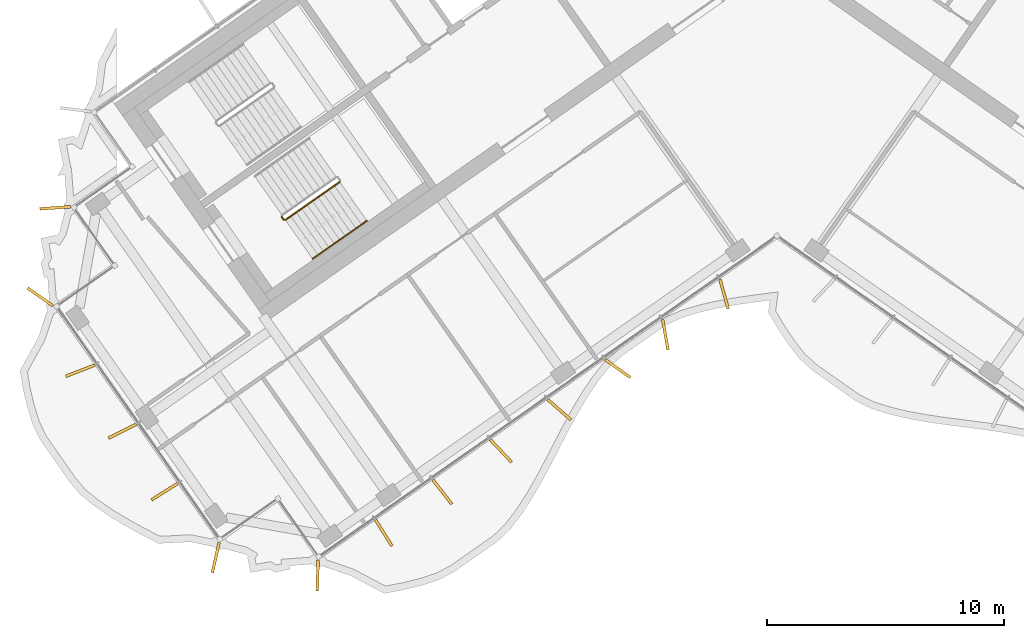
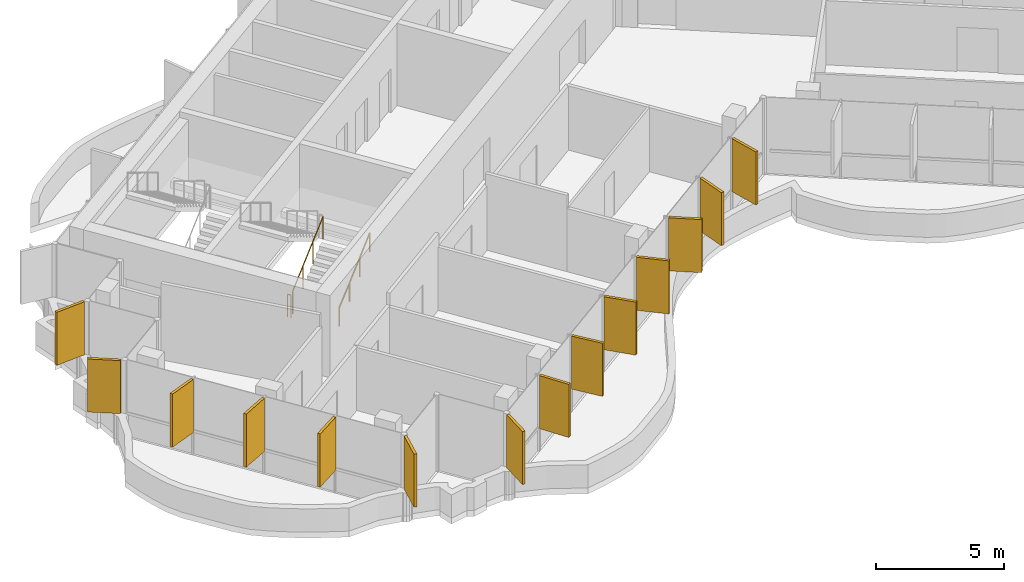
# One storey, part 13 of 18: 14 shading devices, 3 railings.
"""IFC4 building model written with IfcOpenShell, lengths in metres."""

from ifc_helpers import new_model, si_unit, direction, frame, origin, origin_2d, place, context, subcontext, project, spatial, rectangle, circle, extrude, material, layer, layer_set, type_object, element, save


model = new_model("IFC4")

# Units and contexts
model_context = context("Model", 3, precision=1e-05, world=origin(), true_north=direction((0.0, 1.0)))
body_context = subcontext(model_context, "Body", "Model", "MODEL_VIEW")
ifc_project = project(units=[si_unit("LENGTHUNIT", "METRE"), si_unit("AREAUNIT", "SQUARE_METRE"), si_unit("VOLUMEUNIT", "CUBIC_METRE"), si_unit("PLANEANGLEUNIT", "RADIAN"), si_unit("MASSUNIT", "GRAM", prefix="KILO")], contexts=[model_context])

# Site, building, storey
site_placement = place(None, origin())
site = spatial("IfcSite", under=ifc_project, at=site_placement, CompositionType="ELEMENT")
building_placement = place(site_placement, origin())
building = spatial("IfcBuilding", under=site, at=building_placement, Name="Tel Ilan Convention Tower", CompositionType="ELEMENT")
storey_placement = place(building_placement, frame((0.0, 0.0, 303.39990234375)))
storey = spatial("IfcBuildingStorey", under=building, at=storey_placement, Name="L72", CompositionType="ELEMENT", Elevation=303.39990234375)

# Shading devices
ifc_material_1 = material(Name="Aluminium, bronze anodised", Category="aluminium")
ifc_layer = layer(ifc_material_1, 0.1201171875)
ifc_layer_set = layer_set([ifc_layer], Name="FIN BRONZE 1300x120")
shading_device_type = type_object("IfcShadingDeviceType", Name="FIN BRONZE 1300x120", PredefinedType="USERDEFINED", material=ifc_layer_set)
for number, where, z_axis, x_axis, name in (
    (1, (-30.472412109375, -11.51513671875, 1.10009765625), (0.0, 0.0, 1.0), (-0.997697449973, -0.067821812994, 0.0), "FIN"),
    (2, (-31.10400390625, -15.2744140625, 1.10009765625), (0.0, 0.0, 1.0), (-0.819152044289, 0.573576436351, 0.0), "FIN"),
    (3, (-29.415283203125, -18.39208984375, 1.10009765625), (0.0, 0.0, 1.0), (-0.932883704733, -0.360177724803, 0.0), "FIN"),
    (4, (-27.6357421875, -20.94482421875, 1.10009765625), (0.0, 0.0, 1.0), (-0.893632640321, -0.448799180206, 0.0), "FIN"),
    (5, (-25.8505859375, -23.494873046875, 1.10009765625), (0.0, 0.0, 1.0), (-0.845986425922, -0.533204432798, 0.0), "FIN"),
    (6, (-23.693603515625, -26.281494140625, 1.10009765625), (0.0, 0.0, 1.0), (-0.221170268371, -0.975235208752, 0.0), "FIN"),
    (7, (-19.3916015625, -27.039794921875, 1.10009765625), (0.0, 0.0, 1.0), (-0.029084718749, -0.999576950082, 0.0), "FIN"),
    (8, (-16.601806640625, -25.23828125, 1.10009765625), (0.0, 0.0, 1.0), (0.533204432798, -0.845986425922, 0.0), "FIN"),
    (9, (-14.12890625, -23.5068359375, 1.10009765625), (0.0, 0.0, 1.0), (0.612600545196, -0.790392669516, 0.0), "FIN"),
    (10, (-11.65625, -21.775146484375, 1.10009765625), (0.0, 0.0, 1.0), (0.686241637865, -0.727373641577, 0.0), "FIN"),
    (11, (-9.18798828125, -20.038818359375, 1.10009765625), (0.0, 0.0, 1.0), (0.753435896329, -0.657521368568, 0.0), "FIN"),
    (12, (-6.72412109375, -18.298583984375, 1.10009765625), (0.0, 0.0, 1.0), (0.813552070258, -0.581492071294, 0.0), "FIN"),
    (13, (-4.715576171875, -16.86962890625, 1.10009765625), (0.0, 0.0, 1.0), (0.173648177667, -0.984807753012, 0.0), "FIN"),
    (14, (-2.23583984375, -15.15576171875, 1.10009765625), (0.0, 0.0, 1.0), (0.268172612768, -0.963370878614, 0.0), "FIN"),
):
    element("IfcShadingDevice", number, at=place(storey_placement, frame(where, z_axis=z_axis, x_axis=x_axis)), inside=storey, type_object=shading_device_type, Name=name, ObjectType="FIN", PredefinedType="USERDEFINED", context=body_context, shape_type="SweptSolid", body=[
        extrude(rectangle(XDim=1.300048828125, YDim=0.1201171875, at=origin_2d()), origin(), (0.0, 0.0, 1.0), 2.52001953125),
    ])

# Railings
ifc_material_2 = material(Name="Stainless Steel Grade 316", Category="steel")
railing_type_1 = type_object("IfcRailingType", Name="Stainless Steel Stair Guard 1100 mm", PredefinedType="GUARDRAIL", material=ifc_material_2)
railing_1_placement = place(storey_placement, frame((-20.753662109375, -12.029296875, 0.177490234375)))
element("IfcRailing", 15, at=railing_1_placement, inside=storey, type_object=railing_type_1, Name="L72 S2 stair guard 1", PredefinedType="GUARDRAIL", context=body_context, shape_type="SweptSolid", body=[
    extrude(circle(Radius=0.02392578125, at=origin_2d()), frame((0.0, 0.0, 1.076171875), z_axis=(0.692098378994, 0.484653031975, 0.534893701956), x_axis=(-0.573608623498, 0.819129505664, 0.0)), (0.0, 0.0, 1.0), 3.314208984375),
    extrude(circle(Radius=0.02099609375, at=origin_2d()), origin(), (0.0, 0.0, 1.0), 1.052001953125),
    extrude(circle(Radius=0.02099609375, at=origin_2d()), frame((0.7646484375, 0.535400390625, 0.5908203125)), (0.0, 0.0, 1.0), 1.052001953125),
    extrude(circle(Radius=0.02099609375, at=origin_2d()), frame((1.529052734375, 1.07080078125, 1.181884765625)), (0.0, 0.0, 1.0), 1.052001953125),
    extrude(circle(Radius=0.02099609375, at=origin_2d()), frame((2.293701171875, 1.606201171875, 1.772705078125)), (0.0, 0.0, 1.0), 1.052001953125),
])
railing_2_placement = place(storey_placement, frame((-20.8232421875, -12.016845703125, 0.0)))
element("IfcRailing", 16, at=railing_2_placement, inside=storey, type_object=railing_type_1, Name="L72 S2 stair guard 4", PredefinedType="GUARDRAIL", context=body_context, shape_type="SweptSolid", body=[
    extrude(circle(Radius=0.02392578125, at=origin_2d()), frame((0.0, 0.0, 1.076171875), z_axis=(-0.573353020881, 0.819308436089, 0.0), x_axis=(-0.819308436089, -0.573353020881, 0.0)), (0.0, 0.0, 1.0), 0.14990234375),
    extrude(circle(Radius=0.02099609375, at=origin_2d()), origin(), (0.0, 0.0, 1.0), 1.052001953125),
    extrude(circle(Radius=0.02099609375, at=origin_2d()), frame((-0.0859375, 0.122802734375, 0.0)), (0.0, 0.0, 1.0), 1.052001953125),
])
ifc_material_3 = material(Name="Stainless Steel Grade 316", Category="steel")
railing_type_2 = type_object("IfcRailingType", Name="Stainless Steel Stair Handrail 900 mm", PredefinedType="HANDRAIL", material=ifc_material_3)
railing_3_placement = place(storey_placement, frame((-19.6064453125, -13.66748046875, 0.177490234375)))
element("IfcRailing", 17, at=railing_3_placement, inside=storey, type_object=railing_type_2, Name="L72 S2 stair handrail 1", PredefinedType="HANDRAIL", context=body_context, shape_type="SweptSolid", body=[
    extrude(circle(Radius=0.02392578125, at=origin_2d()), frame((0.0, 0.0, 0.8759765625), z_axis=(0.692123088272, 0.484596665743, 0.534912798717), x_axis=(-0.573550118428, 0.819170471667, 0.0)), (0.0, 0.0, 1.0), 3.31396484375),
    extrude(circle(Radius=0.02099609375, at=origin_2d()), origin(), (0.0, 0.0, 1.0), 0.851806640625),
    extrude(circle(Radius=0.02099609375, at=origin_2d()), frame((0.7646484375, 0.535400390625, 0.5908203125)), (0.0, 0.0, 1.0), 0.851806640625),
    extrude(circle(Radius=0.02099609375, at=origin_2d()), frame((1.529052734375, 1.070556640625, 1.181884765625)), (0.0, 0.0, 1.0), 0.851806640625),
    extrude(circle(Radius=0.02099609375, at=origin_2d()), frame((2.293701171875, 1.60595703125, 1.772705078125)), (0.0, 0.0, 1.0), 0.851806640625),
])

save(model, "model.ifc")
